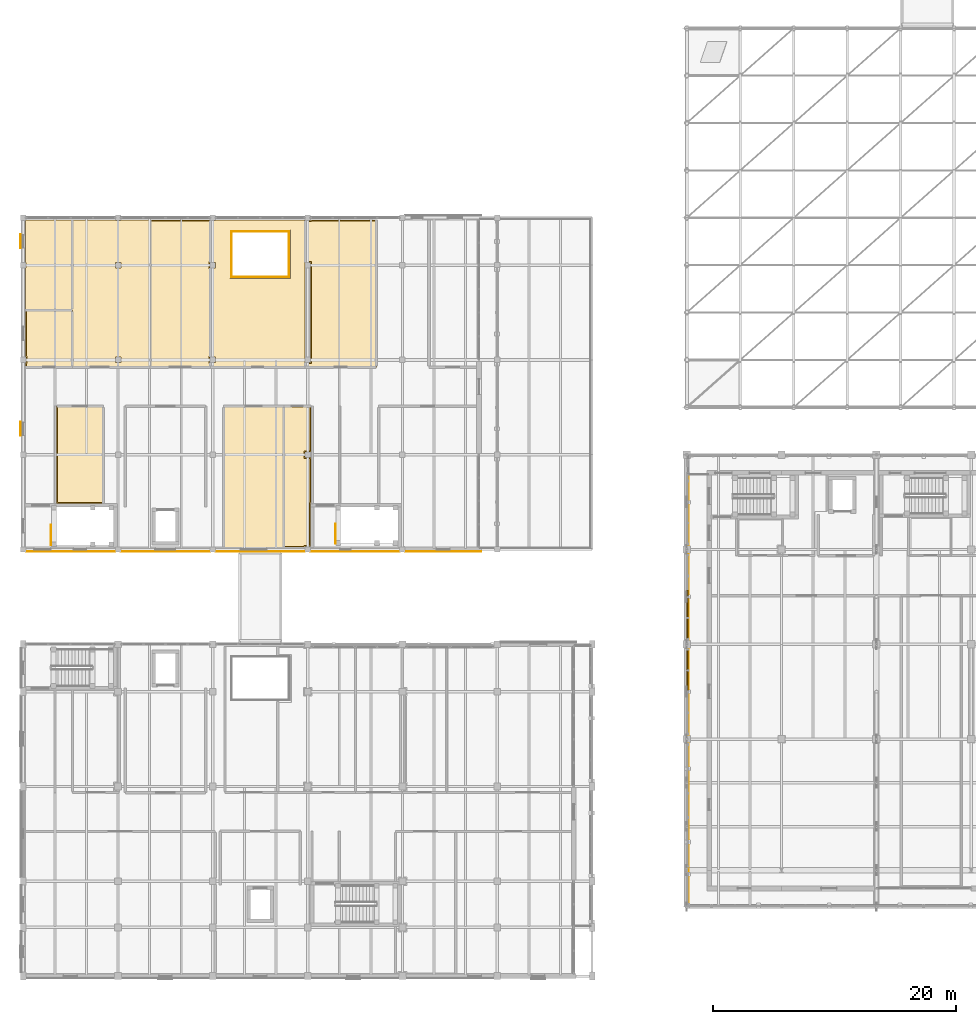
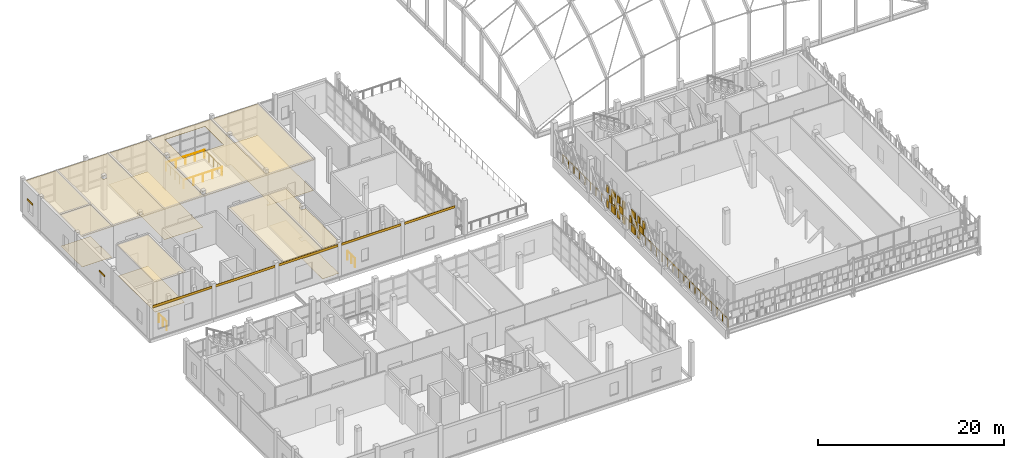
# One storey, part 106 of 119: 37 coverings, 7 railings, 2 shading devices.
"""IFC4 building model written with IfcOpenShell, lengths in metres."""

import ifcopenshell
import ifcopenshell.guid

model = None  # the IFC model being written
_history = None  # IfcOwnerHistory: only IFC2X3 demands one
_inside = {}  # id of a spatial element -> (the spatial element, [elements in it])
_under = {}  # id of a project, library or spatial element -> (it, [spatial elements below it])
_declared = {}  # id of a project -> (the project, [libraries it declares])
_typed = {}  # id of a type object -> (the type object, [elements of that type])
_made_of = {}  # id of a material, layer set ... -> (it, [elements and type objects made of it])


def new_model(schema):
    """Start an empty IFC model of exactly this schema.

    Asked for "IFC4X3", IfcOpenShell would pick the latest addendum, in which some entities
    have other attributes; the version numbers below select the first issue.
    IFC2X3 requires an IfcOwnerHistory on every rooted entity: one is made here for all.
    """
    global model, _history
    if schema == "IFC4X3":
        model = ifcopenshell.file(schema_version=(4, 3, 0, 0))
    else:
        model = ifcopenshell.file(schema=schema)
    _inside.clear()
    _under.clear()
    _declared.clear()
    _typed.clear()
    _made_of.clear()
    _history = None
    if model.schema == "IFC2X3":
        org = make("IfcOrganization", Name="unknown")
        user = make(
            "IfcPersonAndOrganization",
            ThePerson=make("IfcPerson", FamilyName="unknown"),
            TheOrganization=org,
        )
        app = make(
            "IfcApplication",
            ApplicationDeveloper=org,
            Version="unknown",
            ApplicationFullName="unknown",
            ApplicationIdentifier="unknown",
        )
        _history = make(
            "IfcOwnerHistory",
            OwningUser=user,
            OwningApplication=app,
            ChangeAction="ADDED",
            CreationDate=0,
        )
    return model


def make(cls, **values):
    """One entity of the class cls with the attributes given. An attribute that is None is left unset."""
    return model.create_entity(
        cls, **{name: value for name, value in values.items() if value is not None}
    )


def rooted(cls, **values):
    """An entity with a GlobalId (a new one), such as an element, a storey or a relation."""
    return make(cls, GlobalId=ifcopenshell.guid.new(), OwnerHistory=_history, **values)


def si_unit(unit_type, name, prefix=None):
    """IfcSIUnit, for example si_unit("LENGTHUNIT", "METRE", prefix="MILLI")."""
    return make("IfcSIUnit", UnitType=unit_type, Prefix=prefix, Name=name)


def assignment(units):
    """IfcUnitAssignment: the units of a project."""
    return None if units is None else make("IfcUnitAssignment", Units=units)


def point(xyz):
    """IfcCartesianPoint."""
    return None if xyz is None else make("IfcCartesianPoint", Coordinates=xyz)


def direction(xyz):
    """IfcDirection."""
    return None if xyz is None else make("IfcDirection", DirectionRatios=xyz)


def frame(location, z_axis=None, x_axis=None):
    """IfcAxis2Placement3D, a coordinate frame: its origin and axes. An axis left out is left unset."""
    return make(
        "IfcAxis2Placement3D",
        Location=point(location),
        Axis=direction(z_axis),
        RefDirection=direction(x_axis),
    )


def frame_2d(location, x_axis=None):
    """IfcAxis2Placement2D, a coordinate frame in the plane: its origin and x axis."""
    return make(
        "IfcAxis2Placement2D", Location=point(location), RefDirection=direction(x_axis)
    )


def origin():
    """The frame at (0, 0, 0) with its axes left unset."""
    return frame((0.0, 0.0, 0.0))


def origin_2d():
    """The frame at (0, 0) in the plane with its x axis left unset."""
    return frame_2d((0.0, 0.0))


def place(relative_to, where):
    """IfcLocalPlacement: puts the frame where relative to a parent placement (None: the world)."""
    return make(
        "IfcLocalPlacement", PlacementRelTo=relative_to, RelativePlacement=where
    )


def context(
    kind, dimensions, precision=None, world=None, true_north=None, identifier=None
):
    """IfcGeometricRepresentationContext, for example the 3D "Model" context."""
    return make(
        "IfcGeometricRepresentationContext",
        ContextIdentifier=identifier,
        ContextType=kind,
        CoordinateSpaceDimension=dimensions,
        Precision=precision,
        WorldCoordinateSystem=world,
        TrueNorth=true_north,
    )


def subcontext(parent, identifier, kind, view, scale=None):
    """IfcGeometricRepresentationSubContext, for example "Body" below "Model"."""
    return make(
        "IfcGeometricRepresentationSubContext",
        ContextIdentifier=identifier,
        ContextType=kind,
        ParentContext=parent,
        TargetScale=scale,
        TargetView=view,
    )


def project(units=None, contexts=None):
    """IfcProject with its units and contexts."""
    return rooted(
        "IfcProject",
        Name="project",
        RepresentationContexts=contexts,
        UnitsInContext=assignment(units),
    )


def spatial(cls, under=None, at=None, **own):
    """A site, building, storey or space (cls), placed at a placement, below another one or the project."""
    s = rooted(cls, ObjectPlacement=at, **own)
    if under is not None:
        _under.setdefault(under.id(), (under, []))[1].append(s)
    return s


def polyline(points):
    """IfcPolyline through the points."""
    return make("IfcPolyline", Points=[point(p) for p in points])


def profile(cls, at=None, kind="AREA", **sizes):
    """A parametric profile (cls). Its sizes go by their IFC names, for example OverallWidth=200.0."""
    return make(cls, ProfileType=kind, Position=at, **sizes)


def rectangle(**sizes):
    """IfcRectangleProfileDef."""
    return profile("IfcRectangleProfileDef", **sizes)


def circle(**sizes):
    """IfcCircleProfileDef."""
    return profile("IfcCircleProfileDef", **sizes)


def outline(outer, holes=None, kind="AREA"):
    """IfcArbitraryClosedProfileDef: a profile drawn as a closed curve; with holes, ...WithVoids."""
    if holes is None:
        return make("IfcArbitraryClosedProfileDef", ProfileType=kind, OuterCurve=outer)
    return make(
        "IfcArbitraryProfileDefWithVoids",
        ProfileType=kind,
        OuterCurve=outer,
        InnerCurves=holes,
    )


def extrude(swept, where, along, depth):
    """IfcExtrudedAreaSolid: the profile swept, set in the frame where, extruded along a direction by depth."""
    return make(
        "IfcExtrudedAreaSolid",
        SweptArea=swept,
        Position=where,
        ExtrudedDirection=direction(along),
        Depth=depth,
    )


def shape(context_of_items, identifier, shape_type, items):
    """IfcShapeRepresentation: the items that make up one representation, for example the "Body"."""
    return make(
        "IfcShapeRepresentation",
        ContextOfItems=context_of_items,
        RepresentationIdentifier=identifier,
        RepresentationType=shape_type,
        Items=items,
    )


def material(Name=None, Category=None):
    """IfcMaterial."""
    return make("IfcMaterial", Name=Name, Category=Category)


def layer(
    of_material, thickness, ventilated=None, Name=None, Category=None, Priority=None
):
    """IfcMaterialLayer: one layer of a wall or slab, of a material (None: an air gap)."""
    return make(
        "IfcMaterialLayer",
        Material=of_material,
        LayerThickness=thickness,
        IsVentilated=ventilated,
        Name=Name,
        Category=Category,
        Priority=Priority,
    )


def layer_set(layers, Name=None):
    """IfcMaterialLayerSet."""
    return make("IfcMaterialLayerSet", MaterialLayers=layers, LayerSetName=Name)


def made_of(thing, what):
    """Note that an element or type object is made of a material, layer set ...; save() writes the relation."""
    if what is not None:
        _made_of.setdefault(what.id(), (what, []))[1].append(thing)
    return thing


def type_object(cls, material=None, **own):
    """A type object (cls), such as IfcWallType, which elements share."""
    return made_of(rooted(cls, **own), material)


def element(
    cls,
    number,
    at=None,
    inside=None,
    cuts=None,
    type_object=None,
    material=None,
    context=None,
    identifier="Body",
    shape_type=None,
    held_by="IfcProductDefinitionShape",
    body=None,
    shapes=None,
    **own,
):
    """One element of the class cls, such as IfcWall. Its Tag is "e" and its number.

    at: its placement. inside: the storey or other place that contains it. cuts: it is an
    opening in that element (IfcRelVoidsElement). A single representation is given by context,
    identifier, shape_type and body (its items); several are given by shapes. held_by: the class
    of the entity that holds the representations. save() writes the other relations.
    """
    e = rooted(cls, Tag="e%d" % number, ObjectPlacement=at, **own)
    if body is not None:
        shapes = [shape(context, identifier, shape_type, body)]
    if shapes is not None:
        e.Representation = make(held_by, Representations=shapes)
    if inside is not None:
        _inside.setdefault(inside.id(), (inside, []))[1].append(e)
    if cuts is not None:
        rooted(
            "IfcRelVoidsElement", RelatingBuildingElement=cuts, RelatedOpeningElement=e
        )
    if type_object is not None:
        _typed.setdefault(type_object.id(), (type_object, []))[1].append(e)
    return made_of(e, material)


def aggregate(whole, parts):
    """IfcRelAggregates: a whole, such as a stair, and the parts it consists of."""
    return rooted("IfcRelAggregates", RelatingObject=whole, RelatedObjects=parts)


def save(model, path):
    """Write the relations noted so far, then the file.

    IfcRelAggregates (storeys below a building ...), IfcRelContainedInSpatialStructure (elements
    in a storey), IfcRelDefinesByType, IfcRelAssociatesMaterial and IfcRelDeclares: one each for
    every whole, place, type object, material and project.
    """
    for whole, parts in _under.values():
        aggregate(whole, parts)
    for where, things in _inside.values():
        rooted(
            "IfcRelContainedInSpatialStructure",
            RelatedElements=things,
            RelatingStructure=where,
        )
    for kind, things in _typed.values():
        rooted("IfcRelDefinesByType", RelatedObjects=things, RelatingType=kind)
    for what, things in _made_of.values():
        rooted("IfcRelAssociatesMaterial", RelatedObjects=things, RelatingMaterial=what)
    for by, libraries in _declared.values():
        rooted("IfcRelDeclares", RelatingContext=by, RelatedDefinitions=libraries)
    model.write(path)


model = new_model("IFC4")

# Units and contexts
model_context = context("Model", 3, precision=1e-05, world=origin(), true_north=direction((0.0, 1.0)))
body_context = subcontext(model_context, "Body", "Model", "MODEL_VIEW")
ifc_project = project(units=[si_unit("LENGTHUNIT", "METRE"), si_unit("AREAUNIT", "SQUARE_METRE"), si_unit("VOLUMEUNIT", "CUBIC_METRE"), si_unit("PLANEANGLEUNIT", "RADIAN"), si_unit("MASSUNIT", "GRAM", prefix="KILO")], contexts=[model_context])

# Site, building, storey
site_placement = place(None, origin())
site = spatial("IfcSite", under=ifc_project, at=site_placement, CompositionType="ELEMENT")
building_placement = place(site_placement, origin())
building = spatial("IfcBuilding", under=site, at=building_placement, Name="Celorna Specialist Clinic", CompositionType="ELEMENT")
storey_placement = place(building_placement, frame((0.0, 0.0, 9.60009765625)))
storey = spatial("IfcBuildingStorey", under=building, at=storey_placement, Name="L02", CompositionType="ELEMENT", Elevation=9.60009765625)

# Railings
ifc_material_1 = material(Name="Stainless steel and laminated glass balustrade", Category="steel")
railing_type_1 = type_object("IfcRailingType", Name="BL-01", PredefinedType="BALUSTRADE", material=ifc_material_1)
railing_1_placement = place(storey_placement, frame((54.719970703125, 5.820068359375, 0.0)))
element("IfcRailing", 1, at=railing_1_placement, inside=storey, type_object=railing_type_1, Name="Lecture Wing Cantilever Veranda L02 perimeter balustrade 1", PredefinedType="BALUSTRADE", context=body_context, shape_type="SweptSolid", body=[
    extrude(circle(Radius=0.02392578125, at=origin_2d()), frame((0.0, 0.0, 1.09619140625), z_axis=(0.0, 1.0, 0.0), x_axis=(-1.0, 0.0, 0.0)), (0.0, 0.0, 1.0), 35.4599609375),
    extrude(circle(Radius=0.02099609375, at=origin_2d()), origin(), (0.0, 0.0, 1.0), 1.072021484375),
    extrude(circle(Radius=0.02099609375, at=origin_2d()), frame((0.0, 1.181884765625, 0.0)), (0.0, 0.0, 1.0), 1.072021484375),
    extrude(circle(Radius=0.02099609375, at=origin_2d()), frame((0.0, 2.364013671875, 0.0)), (0.0, 0.0, 1.0), 1.072021484375),
    extrude(circle(Radius=0.02099609375, at=origin_2d()), frame((0.0, 3.5458984375, 0.0)), (0.0, 0.0, 1.0), 1.072021484375),
    extrude(circle(Radius=0.02099609375, at=origin_2d()), frame((0.0, 4.72802734375, 0.0)), (0.0, 0.0, 1.0), 1.072021484375),
    extrude(circle(Radius=0.02099609375, at=origin_2d()), frame((0.0, 5.909912109375, 0.0)), (0.0, 0.0, 1.0), 1.072021484375),
    extrude(circle(Radius=0.02099609375, at=origin_2d()), frame((0.0, 7.092041015625, 0.0)), (0.0, 0.0, 1.0), 1.072021484375),
    extrude(circle(Radius=0.02099609375, at=origin_2d()), frame((0.0, 8.27392578125, 0.0)), (0.0, 0.0, 1.0), 1.072021484375),
    extrude(circle(Radius=0.02099609375, at=origin_2d()), frame((0.0, 9.4560546875, 0.0)), (0.0, 0.0, 1.0), 1.072021484375),
    extrude(circle(Radius=0.02099609375, at=origin_2d()), frame((0.0, 10.637939453125, 0.0)), (0.0, 0.0, 1.0), 1.072021484375),
    extrude(circle(Radius=0.02099609375, at=origin_2d()), frame((0.0, 11.820068359375, 0.0)), (0.0, 0.0, 1.0), 1.072021484375),
    extrude(circle(Radius=0.02099609375, at=origin_2d()), frame((0.0, 13.001953125, 0.0)), (0.0, 0.0, 1.0), 1.072021484375),
    extrude(circle(Radius=0.02099609375, at=origin_2d()), frame((0.0, 14.18408203125, 0.0)), (0.0, 0.0, 1.0), 1.072021484375),
    extrude(circle(Radius=0.02099609375, at=origin_2d()), frame((0.0, 15.365966796875, 0.0)), (0.0, 0.0, 1.0), 1.072021484375),
    extrude(circle(Radius=0.02099609375, at=origin_2d()), frame((0.0, 16.548095703125, 0.0)), (0.0, 0.0, 1.0), 1.072021484375),
    extrude(circle(Radius=0.02099609375, at=origin_2d()), frame((0.0, 17.72998046875, 0.0)), (0.0, 0.0, 1.0), 1.072021484375),
    extrude(circle(Radius=0.02099609375, at=origin_2d()), frame((0.0, 18.911865234375, 0.0)), (0.0, 0.0, 1.0), 1.072021484375),
    extrude(circle(Radius=0.02099609375, at=origin_2d()), frame((0.0, 20.093994140625, 0.0)), (0.0, 0.0, 1.0), 1.072021484375),
    extrude(circle(Radius=0.02099609375, at=origin_2d()), frame((0.0, 21.27587890625, 0.0)), (0.0, 0.0, 1.0), 1.072021484375),
    extrude(circle(Radius=0.02099609375, at=origin_2d()), frame((0.0, 22.4580078125, 0.0)), (0.0, 0.0, 1.0), 1.072021484375),
    extrude(circle(Radius=0.02099609375, at=origin_2d()), frame((0.0, 23.639892578125, 0.0)), (0.0, 0.0, 1.0), 1.072021484375),
    extrude(circle(Radius=0.02099609375, at=origin_2d()), frame((0.0, 24.822021484375, 0.0)), (0.0, 0.0, 1.0), 1.072021484375),
    extrude(circle(Radius=0.02099609375, at=origin_2d()), frame((0.0, 26.00390625, 0.0)), (0.0, 0.0, 1.0), 1.072021484375),
    extrude(circle(Radius=0.02099609375, at=origin_2d()), frame((0.0, 27.18603515625, 0.0)), (0.0, 0.0, 1.0), 1.072021484375),
    extrude(circle(Radius=0.02099609375, at=origin_2d()), frame((0.0, 28.367919921875, 0.0)), (0.0, 0.0, 1.0), 1.072021484375),
    extrude(circle(Radius=0.02099609375, at=origin_2d()), frame((0.0, 29.550048828125, 0.0)), (0.0, 0.0, 1.0), 1.072021484375),
    extrude(circle(Radius=0.02099609375, at=origin_2d()), frame((0.0, 30.73193359375, 0.0)), (0.0, 0.0, 1.0), 1.072021484375),
    extrude(circle(Radius=0.02099609375, at=origin_2d()), frame((0.0, 31.9140625, 0.0)), (0.0, 0.0, 1.0), 1.072021484375),
    extrude(circle(Radius=0.02099609375, at=origin_2d()), frame((0.0, 33.095947265625, 0.0)), (0.0, 0.0, 1.0), 1.072021484375),
    extrude(circle(Radius=0.02099609375, at=origin_2d()), frame((0.0, 34.278076171875, 0.0)), (0.0, 0.0, 1.0), 1.072021484375),
    extrude(circle(Radius=0.02099609375, at=origin_2d()), frame((0.0, 35.4599609375, 0.0)), (0.0, 0.0, 1.0), 1.072021484375),
])
railing_2_placement = place(storey_placement, frame((17.1201171875, 57.52001953125, 0.0)))
element("IfcRailing", 2, at=railing_2_placement, inside=storey, type_object=railing_type_1, Name="Clinical lightwell balustrade L02 #5-1", PredefinedType="BALUSTRADE", context=body_context, shape_type="SweptSolid", body=[
    extrude(circle(Radius=0.02392578125, at=origin_2d()), frame((0.0, 0.0, 1.09619140625), z_axis=(1.0, 0.0, 0.0), x_axis=(0.0, 1.0, 0.0)), (0.0, 0.0, 1.0), 4.759765625),
    extrude(circle(Radius=0.02099609375, at=origin_2d()), origin(), (0.0, 0.0, 1.0), 1.072021484375),
    extrude(circle(Radius=0.02099609375, at=origin_2d()), frame((1.18994140625, 0.0, 0.0)), (0.0, 0.0, 1.0), 1.072021484375),
    extrude(circle(Radius=0.02099609375, at=origin_2d()), frame((2.3798828125, 0.0, 0.0)), (0.0, 0.0, 1.0), 1.072021484375),
    extrude(circle(Radius=0.02099609375, at=origin_2d()), frame((3.56982421875, 0.0, 0.0)), (0.0, 0.0, 1.0), 1.072021484375),
    extrude(circle(Radius=0.02099609375, at=origin_2d()), frame((4.759765625, 0.0, 0.0)), (0.0, 0.0, 1.0), 1.072021484375),
])
railing_3_placement = place(storey_placement, frame((21.8798828125, 57.52001953125, 0.0)))
element("IfcRailing", 3, at=railing_3_placement, inside=storey, type_object=railing_type_1, Name="Clinical lightwell balustrade L02 #5-2", PredefinedType="BALUSTRADE", context=body_context, shape_type="SweptSolid", body=[
    extrude(circle(Radius=0.02392578125, at=origin_2d()), frame((0.0, 0.0, 1.09619140625), z_axis=(0.0, 1.0, 0.0), x_axis=(-1.0, 0.0, 0.0)), (0.0, 0.0, 1.0), 3.760009765625),
    extrude(circle(Radius=0.02099609375, at=origin_2d()), origin(), (0.0, 0.0, 1.0), 1.072021484375),
    extrude(circle(Radius=0.02099609375, at=origin_2d()), frame((0.0, 0.93994140625, 0.0)), (0.0, 0.0, 1.0), 1.072021484375),
    extrude(circle(Radius=0.02099609375, at=origin_2d()), frame((0.0, 1.8798828125, 0.0)), (0.0, 0.0, 1.0), 1.072021484375),
    extrude(circle(Radius=0.02099609375, at=origin_2d()), frame((0.0, 2.820068359375, 0.0)), (0.0, 0.0, 1.0), 1.072021484375),
    extrude(circle(Radius=0.02099609375, at=origin_2d()), frame((0.0, 3.760009765625, 0.0)), (0.0, 0.0, 1.0), 1.072021484375),
])
railing_4_placement = place(storey_placement, frame((21.8798828125, 61.280029296875, 0.0)))
element("IfcRailing", 4, at=railing_4_placement, inside=storey, type_object=railing_type_1, Name="Clinical lightwell balustrade L02 #5-3", PredefinedType="BALUSTRADE", context=body_context, shape_type="SweptSolid", body=[
    extrude(circle(Radius=0.02392578125, at=origin_2d()), frame((0.0, 0.0, 1.09619140625), z_axis=(-1.0, 0.0, 0.0), x_axis=(0.0, -1.0, 0.0)), (0.0, 0.0, 1.0), 4.759765625),
    extrude(circle(Radius=0.02099609375, at=origin_2d()), origin(), (0.0, 0.0, 1.0), 1.072021484375),
    extrude(circle(Radius=0.02099609375, at=origin_2d()), frame((-1.18994140625, 0.0, 0.0)), (0.0, 0.0, 1.0), 1.072021484375),
    extrude(circle(Radius=0.02099609375, at=origin_2d()), frame((-2.3798828125, 0.0, 0.0)), (0.0, 0.0, 1.0), 1.072021484375),
    extrude(circle(Radius=0.02099609375, at=origin_2d()), frame((-3.56982421875, 0.0, 0.0)), (0.0, 0.0, 1.0), 1.072021484375),
    extrude(circle(Radius=0.02099609375, at=origin_2d()), frame((-4.759765625, 0.0, 0.0)), (0.0, 0.0, 1.0), 1.072021484375),
])
railing_5_placement = place(storey_placement, frame((17.1201171875, 61.280029296875, 0.0)))
element("IfcRailing", 5, at=railing_5_placement, inside=storey, type_object=railing_type_1, Name="Clinical lightwell balustrade L02 #5-4", PredefinedType="BALUSTRADE", context=body_context, shape_type="SweptSolid", body=[
    extrude(circle(Radius=0.02392578125, at=origin_2d()), frame((0.0, 0.0, 1.09619140625), z_axis=(0.0, -1.0, 0.0), x_axis=(1.0, 0.0, 0.0)), (0.0, 0.0, 1.0), 3.760009765625),
    extrude(circle(Radius=0.02099609375, at=origin_2d()), origin(), (0.0, 0.0, 1.0), 1.072021484375),
    extrude(circle(Radius=0.02099609375, at=origin_2d()), frame((0.0, -0.93994140625, 0.0)), (0.0, 0.0, 1.0), 1.072021484375),
    extrude(circle(Radius=0.02099609375, at=origin_2d()), frame((0.0, -1.8798828125, 0.0)), (0.0, 0.0, 1.0), 1.072021484375),
    extrude(circle(Radius=0.02099609375, at=origin_2d()), frame((0.0, -2.820068359375, 0.0)), (0.0, 0.0, 1.0), 1.072021484375),
    extrude(circle(Radius=0.02099609375, at=origin_2d()), frame((0.0, -3.760009765625, 0.0)), (0.0, 0.0, 1.0), 1.072021484375),
])

# Coverings
ifc_material_2 = material(Name="Hygienic acoustic mineral-fibre ceiling")
ifc_layer_1 = layer(ifc_material_2, 0.030029296875, Name="Hygienic acoustic mineral-fibre ceiling")
ifc_layer_set_1 = layer_set([ifc_layer_1], Name="Hygienic acoustic mineral-fibre ceiling")
covering_type_1 = type_object("IfcCoveringType", Name="CE-01", PredefinedType="CEILING", material=ifc_layer_set_1)
covering_1_placement = place(storey_placement, frame((0.0, 0.0, 4.02978515625)))
element("IfcCovering", 6, at=covering_1_placement, inside=storey, type_object=covering_type_1, Name="Acoustic ceiling L02-012", PredefinedType="CEILING", context=body_context, shape_type="SweptSolid", body=[
    extrude(outline(polyline([(2.7451171875, 38.864990234375), (2.7451171875, 46.9150390625), (6.60498046875, 46.9150390625), (6.60498046875, 38.864990234375), (2.7451171875, 38.864990234375)])), origin(), (0.0, 0.0, 1.0), 0.030029296875),
])
covering_2_placement = place(storey_placement, frame((0.0, 0.0, 4.02978515625)))
element("IfcCovering", 7, at=covering_2_placement, inside=storey, type_object=covering_type_1, Name="Acoustic ceiling L02-013", PredefinedType="CEILING", context=body_context, shape_type="SweptSolid", body=[
    extrude(outline(polyline([(21.455078125, 46.9150390625), (21.455078125, 35.27490234375), (16.47509765625, 35.27490234375), (16.47509765625, 46.9150390625), (21.455078125, 46.9150390625)])), origin(), (0.0, 0.0, 1.0), 0.030029296875),
])
covering_3_placement = place(storey_placement, frame((0.0, 0.0, 4.02978515625)))
element("IfcCovering", 8, at=covering_3_placement, inside=storey, type_object=covering_type_1, Name="Acoustic ceiling L02-014", PredefinedType="CEILING", context=body_context, shape_type="SweptSolid", body=[
    extrude(outline(polyline([(23.68505859375, 46.9150390625), (23.68505859375, 43.1201171875), (23.6298828125, 43.1201171875), (23.6298828125, 43.1298828125), (23.169921875, 43.1298828125), (23.169921875, 42.669921875), (23.6298828125, 42.669921875), (23.6298828125, 42.679931640625), (23.68505859375, 42.679931640625), (23.68505859375, 38.864990234375), (23.655029296875, 38.864990234375), (23.655029296875, 35.320068359375), (23.6298828125, 35.320068359375), (23.6298828125, 35.330078125), (23.169921875, 35.330078125), (23.169921875, 35.27490234375), (21.425048828125, 35.27490234375), (21.425048828125, 46.9150390625), (23.68505859375, 46.9150390625)])), origin(), (0.0, 0.0, 1.0), 0.030029296875),
])
covering_4_placement = place(storey_placement, frame((0.0, 0.0, 4.02978515625)))
element("IfcCovering", 9, at=covering_4_placement, inside=storey, type_object=covering_type_1, Name="Acoustic ceiling L02-016", PredefinedType="CEILING", context=body_context, shape_type="SweptSolid", body=[
    extrude(outline(polyline([(0.175048828125, 54.81494140625), (4.054931640625, 54.81494140625), (4.054931640625, 50.0849609375), (0.175048828125, 50.0849609375), (0.175048828125, 50.469970703125), (0.22998046875, 50.469970703125), (0.22998046875, 50.929931640625), (0.175048828125, 50.929931640625), (0.175048828125, 54.81494140625)])), origin(), (0.0, 0.0, 1.0), 0.030029296875),
])
covering_5_placement = place(storey_placement, frame((0.0, 0.0, 4.02978515625)))
element("IfcCovering", 10, at=covering_5_placement, inside=storey, type_object=covering_type_1, Name="Acoustic ceiling L02-017", PredefinedType="CEILING", context=body_context, shape_type="SweptSolid", body=[
    extrude(outline(polyline([(7.570068359375, 62.22509765625), (7.570068359375, 62.169921875), (8.030029296875, 62.169921875), (8.030029296875, 62.22509765625), (10.455078125, 62.22509765625), (10.455078125, 50.0849609375), (4.02490234375, 50.0849609375), (4.02490234375, 54.784912109375), (0.175048828125, 54.784912109375), (0.175048828125, 58.27001953125), (0.22998046875, 58.27001953125), (0.22998046875, 58.72998046875), (0.175048828125, 58.72998046875), (0.175048828125, 62.169921875), (0.22998046875, 62.169921875), (0.22998046875, 62.22509765625), (7.570068359375, 62.22509765625)]), holes=[polyline([(8.030029296875, 50.929931640625), (7.570068359375, 50.929931640625), (7.570068359375, 50.469970703125), (8.030029296875, 50.469970703125), (8.030029296875, 50.929931640625)]), polyline([(8.030029296875, 58.72998046875), (7.570068359375, 58.72998046875), (7.570068359375, 58.27001953125), (8.030029296875, 58.27001953125), (8.030029296875, 58.72998046875)])]), origin(), (0.0, 0.0, 1.0), 0.030029296875),
])
covering_6_placement = place(storey_placement, frame((0.0, 0.0, 4.02978515625)))
element("IfcCovering", 11, at=covering_6_placement, inside=storey, type_object=covering_type_1, Name="Acoustic ceiling L02-018", PredefinedType="CEILING", context=body_context, shape_type="SweptSolid", body=[
    extrude(outline(polyline([(15.3701171875, 62.22509765625), (15.3701171875, 62.169921875), (15.405029296875, 62.169921875), (15.405029296875, 58.72998046875), (15.3701171875, 58.72998046875), (15.3701171875, 58.27001953125), (15.405029296875, 58.27001953125), (15.405029296875, 50.929931640625), (15.3701171875, 50.929931640625), (15.3701171875, 50.469970703125), (15.405029296875, 50.469970703125), (15.405029296875, 50.0849609375), (10.425048828125, 50.0849609375), (10.425048828125, 62.22509765625), (15.3701171875, 62.22509765625)])), origin(), (0.0, 0.0, 1.0), 0.030029296875),
])
covering_7_placement = place(storey_placement, frame((0.0, 0.0, 4.02978515625)))
element("IfcCovering", 12, at=covering_7_placement, inside=storey, type_object=covering_type_1, Name="Acoustic ceiling L02-019", PredefinedType="CEILING", context=body_context, shape_type="SweptSolid", body=[
    extrude(outline(polyline([(15.375, 50.469970703125), (15.830078125, 50.469970703125), (15.830078125, 50.929931640625), (15.375, 50.929931640625), (15.375, 58.27001953125), (15.830078125, 58.27001953125), (15.830078125, 58.72998046875), (15.375, 58.72998046875), (15.375, 62.169921875), (15.830078125, 62.169921875), (15.830078125, 62.22509765625), (23.169921875, 62.22509765625), (23.169921875, 62.169921875), (23.205078125, 62.169921875), (23.205078125, 58.72998046875), (23.169921875, 58.72998046875), (23.169921875, 58.43505859375), (23.1650390625, 58.43505859375), (23.1650390625, 50.764892578125), (23.169921875, 50.764892578125), (23.169921875, 50.469970703125), (23.205078125, 50.469970703125), (23.205078125, 50.0849609375), (15.375, 50.0849609375), (15.375, 50.469970703125)]), holes=[polyline([(21.985107421875, 61.385009765625), (17.014892578125, 61.385009765625), (17.014892578125, 57.4150390625), (21.985107421875, 57.4150390625), (21.985107421875, 61.385009765625)])]), origin(), (0.0, 0.0, 1.0), 0.030029296875),
])
covering_8_placement = place(storey_placement, frame((0.0, 0.0, 4.02978515625)))
element("IfcCovering", 13, at=covering_8_placement, inside=storey, type_object=covering_type_1, Name="Acoustic ceiling L02-020", PredefinedType="CEILING", context=body_context, shape_type="SweptSolid", body=[
    extrude(outline(polyline([(23.635009765625, 50.764892578125), (23.635009765625, 58.43505859375), (23.6298828125, 58.43505859375), (23.6298828125, 58.72998046875), (23.175048828125, 58.72998046875), (23.175048828125, 62.169921875), (23.6298828125, 62.169921875), (23.6298828125, 62.22509765625), (29.054931640625, 62.22509765625), (29.054931640625, 50.0849609375), (23.175048828125, 50.0849609375), (23.175048828125, 50.469970703125), (23.6298828125, 50.469970703125), (23.6298828125, 50.764892578125), (23.635009765625, 50.764892578125)])), origin(), (0.0, 0.0, 1.0), 0.030029296875),
])
ifc_material_3 = material(Name="Pero Pinheiro Lioz limestone rainscreen cladding", Category="masonry")
ifc_layer_2 = layer(ifc_material_3, 0.044921875, Name="Pero Pinheiro Lioz limestone rainscreen cladding")
ifc_layer_set_2 = layer_set([ifc_layer_2], Name="Pero Pinheiro Lioz limestone rainscreen cladding")
covering_type_2 = type_object("IfcCoveringType", Name="CL-01", PredefinedType="CLADDING", material=ifc_layer_set_2)
for number, where, z_axis, x_axis, name in (
    (14, (3.89990234375, 34.9326171875, 3.925048828125), (0.0, 0.0, 1.0), (-1.0, 0.0, 0.0), "Lioz spandrel cladding #130"),
    (15, (11.699951171875, 34.9326171875, 3.925048828125), (0.0, 0.0, 1.0), (-1.0, 0.0, 0.0), "Lioz spandrel cladding #131"),
    (16, (19.5, 34.9326171875, 3.925048828125), (0.0, 0.0, 1.0), (-1.0, 0.0, 0.0), "Lioz spandrel cladding #132"),
    (17, (27.300048828125, 34.9326171875, 3.925048828125), (0.0, 0.0, 1.0), (-1.0, 0.0, 0.0), "Lioz spandrel cladding #133"),
):
    element("IfcCovering", number, at=place(storey_placement, frame(where, z_axis=z_axis, x_axis=x_axis)), inside=storey, type_object=covering_type_2, Name=name, PredefinedType="CLADDING", context=body_context, shape_type="SweptSolid", body=[
        extrude(rectangle(XDim=7.35009765625, YDim=0.044921875, at=origin_2d()), origin(), (0.0, 0.0, 1.0), 0.31494140625),
    ])
covering_9_placement = place(storey_placement, frame((34.5576171875, 34.9326171875, 3.925048828125), z_axis=(0.0, 0.0, 1.0), x_axis=(-1.0, 0.0, 0.0)))
element("IfcCovering", 18, at=covering_9_placement, inside=storey, type_object=covering_type_2, Name="Lioz spandrel cladding #134", PredefinedType="CLADDING", context=body_context, shape_type="SweptSolid", body=[
    extrude(rectangle(XDim=6.264892578125, YDim=0.044921875, at=origin_2d()), origin(), (0.0, 0.0, 1.0), 0.31494140625),
])
ifc_material_4 = material(Name="Perforated terracotta brick weave cladding", Category="masonry")
ifc_layer_3 = layer(ifc_material_4, 0.114990234375, Name="Perforated terracotta brick weave cladding")
ifc_layer_set_3 = layer_set([ifc_layer_3], Name="Perforated terracotta brick weave cladding")
covering_type_3 = type_object("IfcCoveringType", Name="CL-02", PredefinedType="CLADDING", material=ifc_layer_set_3)
covering_10_placement = place(storey_placement, frame((54.669921875, 24.824462890625, 0.099609375), z_axis=(0.0, 0.0, 1.0), x_axis=(0.0, 1.0, 0.0)))
element("IfcCovering", 19, at=covering_10_placement, inside=storey, type_object=covering_type_3, Name="Woven perforated terracotta brick course #183", PredefinedType="CLADDING", context=body_context, shape_type="SweptSolid", body=[
    extrude(rectangle(XDim=0.490966796875, YDim=0.114990234375, at=origin_2d()), origin(), (0.0, 0.0, 1.0), 0.893310546875),
])
covering_11_placement = place(storey_placement, frame((54.669921875, 24.264892578125, 1.09326171875), z_axis=(0.0, 0.0, 1.0), x_axis=(0.0, 1.0, 0.0)))
element("IfcCovering", 20, at=covering_11_placement, inside=storey, type_object=covering_type_3, Name="Woven perforated terracotta brick course #184", PredefinedType="CLADDING", context=body_context, shape_type="SweptSolid", body=[
    extrude(rectangle(XDim=0.869384765625, YDim=0.114990234375, at=origin_2d()), origin(), (0.0, 0.0, 1.0), 0.893310546875),
])
for number, where, z_axis, x_axis, name in (
    (21, (54.669921875, 23.70556640625, 2.08642578125), (0.0, 0.0, 1.0), (0.0, 1.0, 0.0), "Woven perforated terracotta brick course #185"),
    (22, (54.669921875, 24.824462890625, 2.08642578125), (0.0, 0.0, 1.0), (0.0, 1.0, 0.0), "Woven perforated terracotta brick course #186"),
):
    element("IfcCovering", number, at=place(storey_placement, frame(where, z_axis=z_axis, x_axis=x_axis)), inside=storey, type_object=covering_type_3, Name=name, PredefinedType="CLADDING", context=body_context, shape_type="SweptSolid", body=[
        extrude(rectangle(XDim=0.490966796875, YDim=0.114990234375, at=origin_2d()), origin(), (0.0, 0.0, 1.0), 0.893310546875),
    ])
covering_12_placement = place(storey_placement, frame((54.669921875, 25.9951171875, 0.099609375), z_axis=(0.0, 0.0, 1.0), x_axis=(0.0, 1.0, 0.0)))
element("IfcCovering", 23, at=covering_12_placement, inside=storey, type_object=covering_type_3, Name="Woven perforated terracotta brick course #187", PredefinedType="CLADDING", context=body_context, shape_type="SweptSolid", body=[
    extrude(rectangle(XDim=0.869384765625, YDim=0.114990234375, at=origin_2d()), origin(), (0.0, 0.0, 1.0), 0.893310546875),
])
for number, where, z_axis, x_axis, name in (
    (24, (54.669921875, 25.435546875, 1.09326171875), (0.0, 0.0, 1.0), (0.0, 1.0, 0.0), "Woven perforated terracotta brick course #188"),
    (25, (54.669921875, 26.554443359375, 1.09326171875), (0.0, 0.0, 1.0), (0.0, 1.0, 0.0), "Woven perforated terracotta brick course #189"),
):
    element("IfcCovering", number, at=place(storey_placement, frame(where, z_axis=z_axis, x_axis=x_axis)), inside=storey, type_object=covering_type_3, Name=name, PredefinedType="CLADDING", context=body_context, shape_type="SweptSolid", body=[
        extrude(rectangle(XDim=0.490966796875, YDim=0.114990234375, at=origin_2d()), origin(), (0.0, 0.0, 1.0), 0.893310546875),
    ])
covering_13_placement = place(storey_placement, frame((54.669921875, 25.9951171875, 2.08642578125), z_axis=(0.0, 0.0, 1.0), x_axis=(0.0, 1.0, 0.0)))
element("IfcCovering", 26, at=covering_13_placement, inside=storey, type_object=covering_type_3, Name="Woven perforated terracotta brick course #190", PredefinedType="CLADDING", context=body_context, shape_type="SweptSolid", body=[
    extrude(rectangle(XDim=0.869384765625, YDim=0.114990234375, at=origin_2d()), origin(), (0.0, 0.0, 1.0), 0.893310546875),
])
for number, where, z_axis, x_axis, name in (
    (27, (54.669921875, 28.045654296875, 0.099609375), (0.0, 0.0, 1.0), (0.0, 1.0, 0.0), "Woven perforated terracotta brick course #191"),
    (28, (54.669921875, 29.16455078125, 0.099609375), (0.0, 0.0, 1.0), (0.0, 1.0, 0.0), "Woven perforated terracotta brick course #192"),
):
    element("IfcCovering", number, at=place(storey_placement, frame(where, z_axis=z_axis, x_axis=x_axis)), inside=storey, type_object=covering_type_3, Name=name, PredefinedType="CLADDING", context=body_context, shape_type="SweptSolid", body=[
        extrude(rectangle(XDim=0.4912109375, YDim=0.114990234375, at=origin_2d()), origin(), (0.0, 0.0, 1.0), 0.893310546875),
    ])
covering_14_placement = place(storey_placement, frame((54.669921875, 28.60498046875, 1.09326171875), z_axis=(0.0, 0.0, 1.0), x_axis=(0.0, 1.0, 0.0)))
element("IfcCovering", 29, at=covering_14_placement, inside=storey, type_object=covering_type_3, Name="Woven perforated terracotta brick course #193", PredefinedType="CLADDING", context=body_context, shape_type="SweptSolid", body=[
    extrude(rectangle(XDim=0.869384765625, YDim=0.114990234375, at=origin_2d()), origin(), (0.0, 0.0, 1.0), 0.893310546875),
])
for number, where, z_axis, x_axis, name in (
    (30, (54.669921875, 28.045654296875, 2.08642578125), (0.0, 0.0, 1.0), (0.0, 1.0, 0.0), "Woven perforated terracotta brick course #194"),
    (31, (54.669921875, 29.16455078125, 2.08642578125), (0.0, 0.0, 1.0), (0.0, 1.0, 0.0), "Woven perforated terracotta brick course #195"),
):
    element("IfcCovering", number, at=place(storey_placement, frame(where, z_axis=z_axis, x_axis=x_axis)), inside=storey, type_object=covering_type_3, Name=name, PredefinedType="CLADDING", context=body_context, shape_type="SweptSolid", body=[
        extrude(rectangle(XDim=0.4912109375, YDim=0.114990234375, at=origin_2d()), origin(), (0.0, 0.0, 1.0), 0.893310546875),
    ])
covering_15_placement = place(storey_placement, frame((54.669921875, 30.3349609375, 0.099609375), z_axis=(0.0, 0.0, 1.0), x_axis=(0.0, 1.0, 0.0)))
element("IfcCovering", 32, at=covering_15_placement, inside=storey, type_object=covering_type_3, Name="Woven perforated terracotta brick course #196", PredefinedType="CLADDING", context=body_context, shape_type="SweptSolid", body=[
    extrude(rectangle(XDim=0.869384765625, YDim=0.114990234375, at=origin_2d()), origin(), (0.0, 0.0, 1.0), 0.893310546875),
])
for number, where, z_axis, x_axis, name in (
    (33, (54.669921875, 29.775634765625, 1.09326171875), (0.0, 0.0, 1.0), (0.0, 1.0, 0.0), "Woven perforated terracotta brick course #197"),
    (34, (54.669921875, 30.89453125, 1.09326171875), (0.0, 0.0, 1.0), (0.0, 1.0, 0.0), "Woven perforated terracotta brick course #198"),
):
    element("IfcCovering", number, at=place(storey_placement, frame(where, z_axis=z_axis, x_axis=x_axis)), inside=storey, type_object=covering_type_3, Name=name, PredefinedType="CLADDING", context=body_context, shape_type="SweptSolid", body=[
        extrude(rectangle(XDim=0.4912109375, YDim=0.114990234375, at=origin_2d()), origin(), (0.0, 0.0, 1.0), 0.893310546875),
    ])
covering_16_placement = place(storey_placement, frame((54.669921875, 30.3349609375, 2.08642578125), z_axis=(0.0, 0.0, 1.0), x_axis=(0.0, 1.0, 0.0)))
element("IfcCovering", 35, at=covering_16_placement, inside=storey, type_object=covering_type_3, Name="Woven perforated terracotta brick course #199", PredefinedType="CLADDING", context=body_context, shape_type="SweptSolid", body=[
    extrude(rectangle(XDim=0.869384765625, YDim=0.114990234375, at=origin_2d()), origin(), (0.0, 0.0, 1.0), 0.893310546875),
])
for number, where, z_axis, x_axis, name in (
    (36, (54.669921875, 31.505615234375, 0.099609375), (0.0, 0.0, 1.0), (0.0, 1.0, 0.0), "Woven perforated terracotta brick course #200"),
    (37, (54.669921875, 31.505615234375, 2.08642578125), (0.0, 0.0, 1.0), (0.0, 1.0, 0.0), "Woven perforated terracotta brick course #203"),
):
    element("IfcCovering", number, at=place(storey_placement, frame(where, z_axis=z_axis, x_axis=x_axis)), inside=storey, type_object=covering_type_3, Name=name, PredefinedType="CLADDING", context=body_context, shape_type="SweptSolid", body=[
        extrude(rectangle(XDim=0.4912109375, YDim=0.114990234375, at=origin_2d()), origin(), (0.0, 0.0, 1.0), 0.893310546875),
    ])
ifc_material_5 = material(Name="Seamless antimicrobial clinical vinyl and Lioz terrazzo flooring")
ifc_layer_4 = layer(ifc_material_5, 0.02001953125, Name="Seamless antimicrobial clinical vinyl and Lioz terrazzo flooring")
ifc_layer_set_4 = layer_set([ifc_layer_4], Name="Seamless antimicrobial clinical vinyl and Lioz terrazzo flooring")
covering_type_4 = type_object("IfcCoveringType", Name="FL-01", PredefinedType="FLOORING", material=ifc_layer_set_4)
covering_17_placement = place(storey_placement, origin())
element("IfcCovering", 38, at=covering_17_placement, inside=storey, type_object=covering_type_4, Name="Antimicrobial clinical flooring L02-012", PredefinedType="FLOORING", context=body_context, shape_type="SweptSolid", body=[
    extrude(outline(polyline([(6.514892578125, 38.955078125), (2.8349609375, 38.955078125), (2.8349609375, 46.824951171875), (6.514892578125, 46.824951171875), (6.514892578125, 38.955078125)])), origin(), (0.0, 0.0, 1.0), 0.02001953125),
])
covering_18_placement = place(storey_placement, origin())
element("IfcCovering", 39, at=covering_18_placement, inside=storey, type_object=covering_type_4, Name="Antimicrobial clinical flooring L02-014", PredefinedType="FLOORING", context=body_context, shape_type="SweptSolid", body=[
    extrude(outline(polyline([(21.514892578125, 46.824951171875), (23.594970703125, 46.824951171875), (23.594970703125, 43.2099609375), (23.090087890625, 43.2099609375), (23.090087890625, 42.590087890625), (23.594970703125, 42.590087890625), (23.594970703125, 38.955078125), (23.56494140625, 38.955078125), (23.56494140625, 35.409912109375), (23.090087890625, 35.409912109375), (23.090087890625, 35.364990234375), (21.514892578125, 35.364990234375), (21.514892578125, 46.824951171875)])), origin(), (0.0, 0.0, 1.0), 0.02001953125),
])
covering_19_placement = place(storey_placement, origin())
element("IfcCovering", 40, at=covering_19_placement, inside=storey, type_object=covering_type_4, Name="Antimicrobial clinical flooring L02-016", PredefinedType="FLOORING", context=body_context, shape_type="SweptSolid", body=[
    extrude(outline(polyline([(0.264892578125, 50.389892578125), (0.31005859375, 50.389892578125), (0.31005859375, 51.010009765625), (0.264892578125, 51.010009765625), (0.264892578125, 54.72509765625), (3.965087890625, 54.72509765625), (3.965087890625, 50.175048828125), (0.264892578125, 50.175048828125), (0.264892578125, 50.389892578125)])), origin(), (0.0, 0.0, 1.0), 0.02001953125),
])
covering_20_placement = place(storey_placement, origin())
element("IfcCovering", 41, at=covering_20_placement, inside=storey, type_object=covering_type_4, Name="Antimicrobial clinical flooring L02-018", PredefinedType="FLOORING", context=body_context, shape_type="SweptSolid", body=[
    extrude(outline(polyline([(10.514892578125, 62.135009765625), (15.2900390625, 62.135009765625), (15.2900390625, 62.090087890625), (15.31494140625, 62.090087890625), (15.31494140625, 58.81005859375), (15.2900390625, 58.81005859375), (15.2900390625, 58.18994140625), (15.31494140625, 58.18994140625), (15.31494140625, 51.010009765625), (15.2900390625, 51.010009765625), (15.2900390625, 50.389892578125), (15.31494140625, 50.389892578125), (15.31494140625, 50.175048828125), (10.514892578125, 50.175048828125), (10.514892578125, 62.135009765625)])), origin(), (0.0, 0.0, 1.0), 0.02001953125),
])
covering_21_placement = place(storey_placement, origin())
element("IfcCovering", 42, at=covering_21_placement, inside=storey, type_object=covering_type_4, Name="Antimicrobial clinical flooring L02-020", PredefinedType="FLOORING", context=body_context, shape_type="SweptSolid", body=[
    extrude(outline(polyline([(23.7099609375, 50.675048828125), (23.72509765625, 50.675048828125), (23.72509765625, 58.52490234375), (23.7099609375, 58.52490234375), (23.7099609375, 58.81005859375), (23.264892578125, 58.81005859375), (23.264892578125, 62.090087890625), (23.7099609375, 62.090087890625), (23.7099609375, 62.135009765625), (28.965087890625, 62.135009765625), (28.965087890625, 50.175048828125), (23.264892578125, 50.175048828125), (23.264892578125, 50.389892578125), (23.7099609375, 50.389892578125), (23.7099609375, 50.675048828125)])), origin(), (0.0, 0.0, 1.0), 0.02001953125),
])

# Railings
ifc_material_6 = material(Name="Powder-coated steel S355", Category="steel")
railing_type_2 = type_object("IfcRailingType", Name="GR-01", PredefinedType="GUARDRAIL", material=ifc_material_6)
railing_6_placement = place(storey_placement, frame((2.2900390625, 35.47998046875, 0.0)))
element("IfcRailing", 43, at=railing_6_placement, inside=storey, type_object=railing_type_2, Name="L02 ST-06 top well guard 1", PredefinedType="GUARDRAIL", context=body_context, shape_type="SweptSolid", body=[
    extrude(circle(Radius=0.02392578125, at=origin_2d()), frame((0.0, 0.0, 1.09619140625), z_axis=(0.0, 1.0, 0.0), x_axis=(-1.0, 0.0, 0.0)), (0.0, 0.0, 1.0), 1.64990234375),
    extrude(circle(Radius=0.02099609375, at=origin_2d()), origin(), (0.0, 0.0, 1.0), 1.072021484375),
    extrude(circle(Radius=0.02099609375, at=origin_2d()), frame((0.0, 0.824951171875, 0.0)), (0.0, 0.0, 1.0), 1.072021484375),
    extrude(circle(Radius=0.02099609375, at=origin_2d()), frame((0.0, 1.64990234375, 0.0)), (0.0, 0.0, 1.0), 1.072021484375),
])
railing_7_placement = place(storey_placement, frame((25.68994140625, 35.580078125, 0.0)))
element("IfcRailing", 44, at=railing_7_placement, inside=storey, type_object=railing_type_2, Name="L02 ST-07 top well guard 1", PredefinedType="GUARDRAIL", context=body_context, shape_type="SweptSolid", body=[
    extrude(circle(Radius=0.02392578125, at=origin_2d()), frame((0.0, 0.0, 1.09619140625), z_axis=(0.0, 1.0, 0.0), x_axis=(-1.0, 0.0, 0.0)), (0.0, 0.0, 1.0), 1.599853515625),
    extrude(circle(Radius=0.02099609375, at=origin_2d()), origin(), (0.0, 0.0, 1.0), 1.072021484375),
    extrude(circle(Radius=0.02099609375, at=origin_2d()), frame((0.0, 0.7998046875, 0.0)), (0.0, 0.0, 1.0), 1.072021484375),
    extrude(circle(Radius=0.02099609375, at=origin_2d()), frame((0.0, 1.599853515625, 0.0)), (0.0, 0.0, 1.0), 1.072021484375),
])

# Shading devices
ifc_material_7 = material(Name="Anodized aluminium solar louvre", Category="aluminium")
ifc_layer_5 = layer(ifc_material_7, 0.080078125, Name="Anodized aluminium solar louvre")
ifc_layer_set_5 = layer_set([ifc_layer_5], Name="Anodized aluminium solar louvre")
shading_device_type = type_object("IfcShadingDeviceType", Name="LV-01", PredefinedType="JALOUSIE", material=ifc_layer_set_5)
for number, where, z_axis, x_axis, name in (
    (45, (-0.22998046875, 45.0224609375, 2.39013671875), (0.0, 0.0, 1.0), (0.0, 1.0, 0.0), "External solar louvre LV-01 #48"),
    (46, (-0.22998046875, 60.449951171875, 2.39013671875), (0.0, 0.0, 1.0), (0.0, 1.0, 0.0), "External solar louvre LV-01 #50"),
):
    element("IfcShadingDevice", number, at=place(storey_placement, frame(where, z_axis=z_axis, x_axis=x_axis)), inside=storey, type_object=shading_device_type, Name=name, PredefinedType="JALOUSIE", context=body_context, shape_type="SweptSolid", body=[
        extrude(rectangle(XDim=1.14990234375, YDim=0.080078125, at=origin_2d()), origin(), (0.0, 0.0, 1.0), 0.219970703125),
    ])

save(model, "model.ifc")
